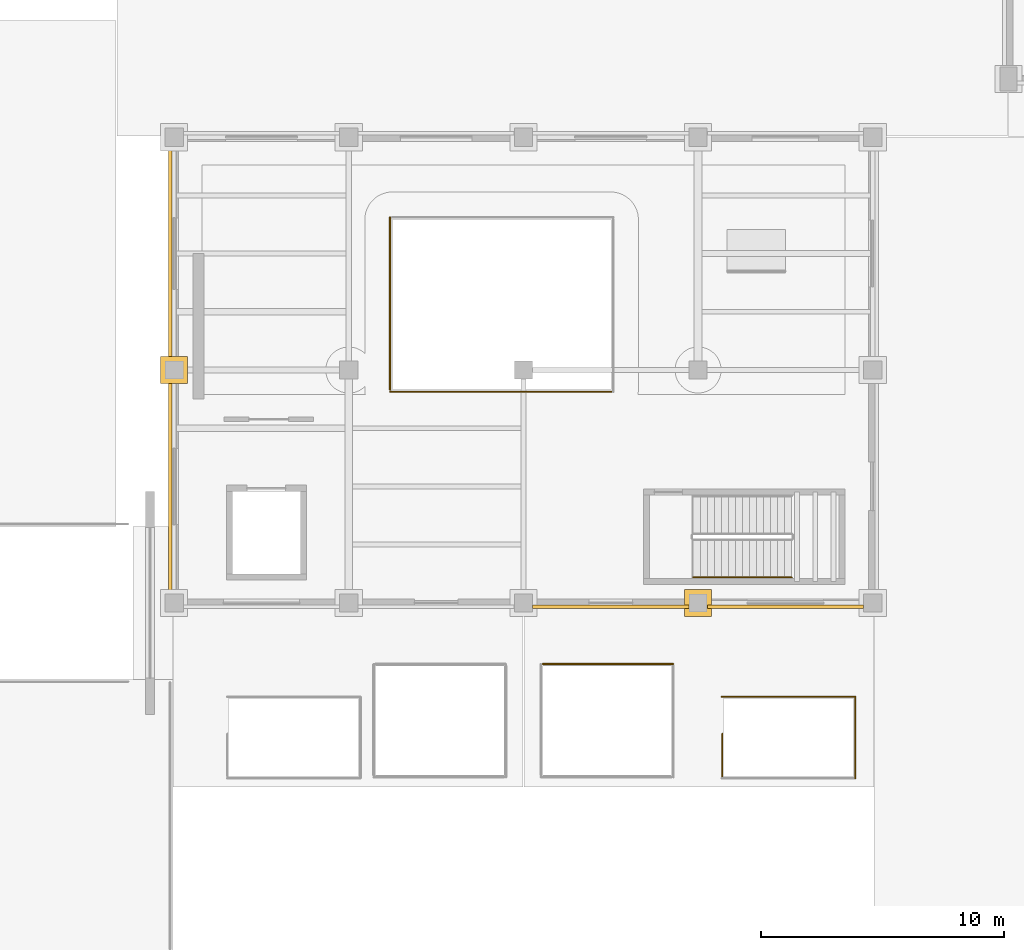
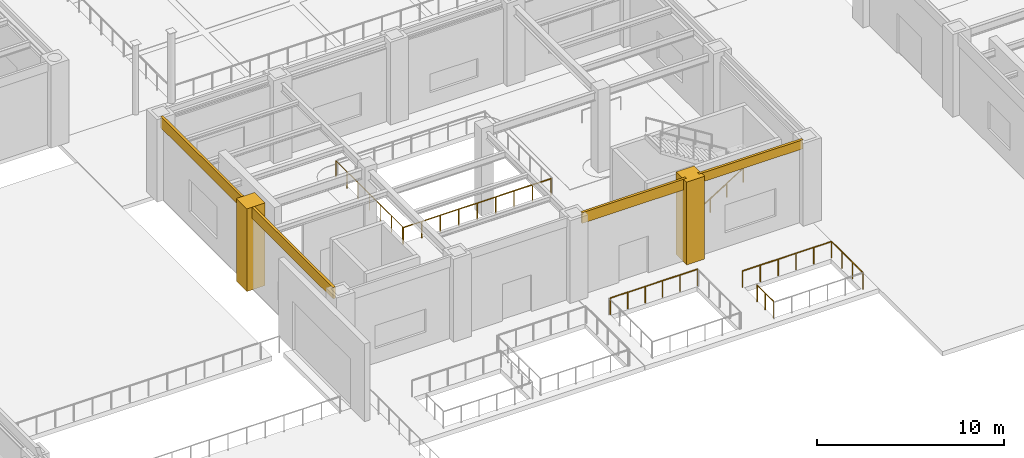
# One storey, part 147 of 164: 7 railings, 6 coverings.
"""IFC4 building model written with IfcOpenShell, lengths in metres."""

from ifc_helpers import new_model, si_unit, direction, frame, origin, origin_2d, place, context, subcontext, project, spatial, polyline, circle, outline, extrude, material, layer, layer_set, type_object, element, save


model = new_model("IFC4")

# Units and contexts
model_context = context("Model", 3, precision=1e-05, world=origin(), true_north=direction((0.0, 1.0)))
body_context = subcontext(model_context, "Body", "Model", "MODEL_VIEW")
ifc_project = project(units=[si_unit("LENGTHUNIT", "METRE"), si_unit("AREAUNIT", "SQUARE_METRE"), si_unit("VOLUMEUNIT", "CUBIC_METRE"), si_unit("PLANEANGLEUNIT", "RADIAN"), si_unit("MASSUNIT", "GRAM", prefix="KILO")], contexts=[model_context])

# Site, building, storey
site_placement = place(None, origin())
site = spatial("IfcSite", under=ifc_project, at=site_placement, CompositionType="ELEMENT")
building_placement = place(site_placement, origin())
building = spatial("IfcBuilding", under=site, at=building_placement, Name="Mavantir Sound Aquarium", CompositionType="ELEMENT")
storey_placement = place(building_placement, origin())
storey = spatial("IfcBuildingStorey", under=building, at=storey_placement, Name="L00", CompositionType="ELEMENT", Elevation=0.0)

# Coverings
ifc_material_1 = material(Name="Honed Coral-Limestone & Glazed Terracotta Rainscreen Cladding", Category="masonry")
ifc_layer = layer(ifc_material_1, 0.06005859375, Name="Honed Coral-Limestone & Glazed Terracotta Rainscreen Cladding")
ifc_layer_set = layer_set([ifc_layer], Name="Honed Coral-Limestone & Glazed Terracotta Rainscreen Cladding")
covering_type = type_object("IfcCoveringType", Name="COV-CLAD-TC", PredefinedType="CLADDING", material=ifc_layer_set)
covering_1_placement = place(storey_placement, frame((0.0, 0.0, 4.6630859375)))
element("IfcCovering", 1, at=covering_1_placement, inside=storey, type_object=covering_type, Name="L00 Postmodern coral-limestone spandrel frieze 149", PredefinedType="CLADDING", context=body_context, shape_type="SweptSolid", body=[
    extrude(outline(polyline([(67.110107421875, 33.217041015625), (67.110107421875, 24.383056640625), (66.9599609375, 24.383056640625), (66.9599609375, 33.217041015625), (67.110107421875, 33.217041015625)])), origin(), (0.0, 0.0, 1.0), 0.73681640625),
])
covering_2_placement = place(storey_placement, frame((0.0, 0.0, 4.6630859375)))
element("IfcCovering", 2, at=covering_2_placement, inside=storey, type_object=covering_type, Name="L00 Postmodern coral-limestone spandrel frieze 150", PredefinedType="CLADDING", context=body_context, shape_type="SweptSolid", body=[
    extrude(outline(polyline([(67.110107421875, 23.616943359375), (67.110107421875, 14.782958984375), (66.9599609375, 14.782958984375), (66.9599609375, 23.616943359375), (67.110107421875, 23.616943359375)])), origin(), (0.0, 0.0, 1.0), 0.73681640625),
])
covering_3_placement = place(storey_placement, frame((0.0, 0.0, 4.7080078125)))
element("IfcCovering", 3, at=covering_3_placement, inside=storey, type_object=covering_type, Name="L00 Postmodern coral-limestone spandrel frieze 153", PredefinedType="CLADDING", context=body_context, shape_type="SweptSolid", body=[
    extrude(outline(polyline([(81.98291015625, 14.31005859375), (88.4169921875, 14.31005859375), (88.4169921875, 14.159912109375), (81.98291015625, 14.159912109375), (81.98291015625, 14.31005859375)])), origin(), (0.0, 0.0, 1.0), 0.69189453125),
])
covering_4_placement = place(storey_placement, frame((0.0, 0.0, 4.81298828125)))
element("IfcCovering", 4, at=covering_4_placement, inside=storey, type_object=covering_type, Name="L00 Postmodern coral-limestone spandrel frieze 154", PredefinedType="CLADDING", context=body_context, shape_type="SweptSolid", body=[
    extrude(outline(polyline([(89.18310546875, 14.31005859375), (95.616943359375, 14.31005859375), (95.616943359375, 14.159912109375), (89.18310546875, 14.159912109375), (89.18310546875, 14.31005859375)])), origin(), (0.0, 0.0, 1.0), 0.5869140625),
])
covering_5_placement = place(storey_placement, origin())
element("IfcCovering", 5, at=covering_5_placement, inside=storey, type_object=covering_type, Name="L00 Postmodern coral-limestone pilaster casing 469", PredefinedType="CLADDING", context=body_context, shape_type="SweptSolid", body=[
    extrude(outline(polyline([(66.639892578125, 23.43994140625), (67.760009765625, 23.43994140625), (67.760009765625, 24.56005859375), (66.639892578125, 24.56005859375), (66.639892578125, 23.43994140625)])), origin(), (0.0, 0.0, 1.0), 5.39990234375),
])
covering_6_placement = place(storey_placement, origin())
element("IfcCovering", 6, at=covering_6_placement, inside=storey, type_object=covering_type, Name="L00 Postmodern coral-limestone pilaster casing 481", PredefinedType="CLADDING", context=body_context, shape_type="SweptSolid", body=[
    extrude(outline(polyline([(88.239990234375, 13.840087890625), (89.360107421875, 13.840087890625), (89.360107421875, 14.9599609375), (88.239990234375, 14.9599609375), (88.239990234375, 13.840087890625)])), origin(), (0.0, 0.0, 1.0), 5.39990234375),
])

# Railings
ifc_material_2 = material(Name="Stainless Steel 316 and Laminated Glass Guardrail", Category="steel")
railing_type_1 = type_object("IfcRailingType", Name="RL-GUARD-110", PredefinedType="GUARDRAIL", material=ifc_material_2)
railing_1_placement = place(storey_placement, frame((76.10009765625, 23.10009765625, 0.0)))
element("IfcRailing", 7, at=railing_1_placement, inside=storey, type_object=railing_type_1, Name="L00 atrium void S guardrail 63", PredefinedType="GUARDRAIL", context=body_context, shape_type="SweptSolid", body=[
    extrude(circle(Radius=0.02392578125, at=origin_2d()), frame((0.0, 0.0, 1.076171875), z_axis=(1.0, 0.0, 0.0), x_axis=(0.0, 1.0, 0.0)), (0.0, 0.0, 1.0), 9.119873046875),
    extrude(circle(Radius=0.02099609375, at=origin_2d()), origin(), (0.0, 0.0, 1.0), 1.052001953125),
    extrude(circle(Radius=0.02099609375, at=origin_2d()), frame((1.139892578125, 0.0, 0.0)), (0.0, 0.0, 1.0), 1.052001953125),
    extrude(circle(Radius=0.02099609375, at=origin_2d()), frame((2.280029296875, 0.0, 0.0)), (0.0, 0.0, 1.0), 1.052001953125),
    extrude(circle(Radius=0.02099609375, at=origin_2d()), frame((3.419921875, 0.0, 0.0)), (0.0, 0.0, 1.0), 1.052001953125),
    extrude(circle(Radius=0.02099609375, at=origin_2d()), frame((4.56005859375, 0.0, 0.0)), (0.0, 0.0, 1.0), 1.052001953125),
    extrude(circle(Radius=0.02099609375, at=origin_2d()), frame((5.699951171875, 0.0, 0.0)), (0.0, 0.0, 1.0), 1.052001953125),
    extrude(circle(Radius=0.02099609375, at=origin_2d()), frame((6.83984375, 0.0, 0.0)), (0.0, 0.0, 1.0), 1.052001953125),
    extrude(circle(Radius=0.02099609375, at=origin_2d()), frame((7.97998046875, 0.0, 0.0)), (0.0, 0.0, 1.0), 1.052001953125),
    extrude(circle(Radius=0.02099609375, at=origin_2d()), frame((9.119873046875, 0.0, 0.0)), (0.0, 0.0, 1.0), 1.052001953125),
])
railing_2_placement = place(storey_placement, frame((76.10009765625, 30.300048828125, 0.0)))
element("IfcRailing", 8, at=railing_2_placement, inside=storey, type_object=railing_type_1, Name="L00 atrium void W guardrail 66", PredefinedType="GUARDRAIL", context=body_context, shape_type="SweptSolid", body=[
    extrude(circle(Radius=0.02392578125, at=origin_2d()), frame((0.0, 0.0, 1.076171875), z_axis=(0.0, -1.0, 0.0), x_axis=(1.0, 0.0, 0.0)), (0.0, 0.0, 1.0), 7.1201171875),
    extrude(circle(Radius=0.02099609375, at=origin_2d()), origin(), (0.0, 0.0, 1.0), 1.052001953125),
    extrude(circle(Radius=0.02099609375, at=origin_2d()), frame((0.0, -1.186767578125, 0.0)), (0.0, 0.0, 1.0), 1.052001953125),
    extrude(circle(Radius=0.02099609375, at=origin_2d()), frame((0.0, -2.373291015625, 0.0)), (0.0, 0.0, 1.0), 1.052001953125),
    extrude(circle(Radius=0.02099609375, at=origin_2d()), frame((0.0, -3.56005859375, 0.0)), (0.0, 0.0, 1.0), 1.052001953125),
    extrude(circle(Radius=0.02099609375, at=origin_2d()), frame((0.0, -4.746826171875, 0.0)), (0.0, 0.0, 1.0), 1.052001953125),
    extrude(circle(Radius=0.02099609375, at=origin_2d()), frame((0.0, -5.933349609375, 0.0)), (0.0, 0.0, 1.0), 1.052001953125),
    extrude(circle(Radius=0.02099609375, at=origin_2d()), frame((0.0, -7.1201171875, 0.0)), (0.0, 0.0, 1.0), 1.052001953125),
])
railing_3_placement = place(storey_placement, frame((87.780029296875, 11.8798828125, 0.0)))
element("IfcRailing", 9, at=railing_3_placement, inside=storey, type_object=railing_type_1, Name="Forecourt lightwell ST14 N guard", PredefinedType="GUARDRAIL", context=body_context, shape_type="SweptSolid", body=[
    extrude(circle(Radius=0.02392578125, at=origin_2d()), frame((0.0, 0.0, 1.076171875), z_axis=(-1.0, 0.0, 0.0), x_axis=(0.0, -1.0, 0.0)), (0.0, 0.0, 1.0), 5.380126953125),
    extrude(circle(Radius=0.02099609375, at=origin_2d()), origin(), (0.0, 0.0, 1.0), 1.052001953125),
    extrude(circle(Radius=0.02099609375, at=origin_2d()), frame((-1.075927734375, 0.0, 0.0)), (0.0, 0.0, 1.0), 1.052001953125),
    extrude(circle(Radius=0.02099609375, at=origin_2d()), frame((-2.152099609375, 0.0, 0.0)), (0.0, 0.0, 1.0), 1.052001953125),
    extrude(circle(Radius=0.02099609375, at=origin_2d()), frame((-3.22802734375, 0.0, 0.0)), (0.0, 0.0, 1.0), 1.052001953125),
    extrude(circle(Radius=0.02099609375, at=origin_2d()), frame((-4.30419921875, 0.0, 0.0)), (0.0, 0.0, 1.0), 1.052001953125),
    extrude(circle(Radius=0.02099609375, at=origin_2d()), frame((-5.380126953125, 0.0, 0.0)), (0.0, 0.0, 1.0), 1.052001953125),
])
railing_4_placement = place(storey_placement, frame((89.800048828125, 7.25, 0.0)))
element("IfcRailing", 10, at=railing_4_placement, inside=storey, type_object=railing_type_1, Name="L00 ST14 top well guard 1", PredefinedType="GUARDRAIL", context=body_context, shape_type="SweptSolid", body=[
    extrude(circle(Radius=0.02392578125, at=origin_2d()), frame((0.0, 0.0, 1.076171875), z_axis=(0.0, 1.0, 0.0), x_axis=(-1.0, 0.0, 0.0)), (0.0, 0.0, 1.0), 1.75),
    extrude(circle(Radius=0.02099609375, at=origin_2d()), origin(), (0.0, 0.0, 1.0), 1.052001953125),
    extrude(circle(Radius=0.02099609375, at=origin_2d()), frame((0.0, 0.875, 0.0)), (0.0, 0.0, 1.0), 1.052001953125),
    extrude(circle(Radius=0.02099609375, at=origin_2d()), frame((0.0, 1.75, 0.0)), (0.0, 0.0, 1.0), 1.052001953125),
])
railing_5_placement = place(storey_placement, frame((89.780029296875, 10.530029296875, 0.0)))
element("IfcRailing", 11, at=railing_5_placement, inside=storey, type_object=railing_type_1, Name="Forecourt stair ST14 WLN guardrail", PredefinedType="GUARDRAIL", context=body_context, shape_type="SweptSolid", body=[
    extrude(circle(Radius=0.02392578125, at=origin_2d()), frame((0.0, 0.0, 1.076171875), z_axis=(1.0, 0.0, 0.0), x_axis=(0.0, 1.0, 0.0)), (0.0, 0.0, 1.0), 5.5),
    extrude(circle(Radius=0.02099609375, at=origin_2d()), origin(), (0.0, 0.0, 1.0), 1.052001953125),
    extrude(circle(Radius=0.02099609375, at=origin_2d()), frame((1.10009765625, 0.0, 0.0)), (0.0, 0.0, 1.0), 1.052001953125),
    extrude(circle(Radius=0.02099609375, at=origin_2d()), frame((2.199951171875, 0.0, 0.0)), (0.0, 0.0, 1.0), 1.052001953125),
    extrude(circle(Radius=0.02099609375, at=origin_2d()), frame((3.300048828125, 0.0, 0.0)), (0.0, 0.0, 1.0), 1.052001953125),
    extrude(circle(Radius=0.02099609375, at=origin_2d()), frame((4.39990234375, 0.0, 0.0)), (0.0, 0.0, 1.0), 1.052001953125),
    extrude(circle(Radius=0.02099609375, at=origin_2d()), frame((5.5, 0.0, 0.0)), (0.0, 0.0, 1.0), 1.052001953125),
])
railing_6_placement = place(storey_placement, frame((95.280029296875, 7.169921875, 0.0)))
element("IfcRailing", 12, at=railing_6_placement, inside=storey, type_object=railing_type_1, Name="Forecourt stair ST14 WLE guardrail", PredefinedType="GUARDRAIL", context=body_context, shape_type="SweptSolid", body=[
    extrude(circle(Radius=0.02392578125, at=origin_2d()), frame((0.0, 0.0, 1.076171875), z_axis=(0.0, 1.0, 0.0), x_axis=(-1.0, 0.0, 0.0)), (0.0, 0.0, 1.0), 3.360107421875),
    extrude(circle(Radius=0.02099609375, at=origin_2d()), origin(), (0.0, 0.0, 1.0), 1.052001953125),
    extrude(circle(Radius=0.02099609375, at=origin_2d()), frame((0.0, 1.1201171875, 0.0)), (0.0, 0.0, 1.0), 1.052001953125),
    extrude(circle(Radius=0.02099609375, at=origin_2d()), frame((0.0, 2.239990234375, 0.0)), (0.0, 0.0, 1.0), 1.052001953125),
    extrude(circle(Radius=0.02099609375, at=origin_2d()), frame((0.0, 3.360107421875, 0.0)), (0.0, 0.0, 1.0), 1.052001953125),
])
ifc_material_3 = material(Name="Brushed Stainless Steel 316 Handrail", Category="steel")
railing_type_2 = type_object("IfcRailingType", Name="RL-HR-90", PredefinedType="HANDRAIL", material=ifc_material_3)
railing_7_placement = place(storey_placement, frame((88.60009765625, 15.449951171875, 0.364990234375)))
element("IfcRailing", 13, at=railing_7_placement, inside=storey, type_object=railing_type_2, Name="L00 ST11 stair handrail 1", PredefinedType="HANDRAIL", context=body_context, shape_type="SweptSolid", body=[
    extrude(circle(Radius=0.02392578125, at=origin_2d()), frame((0.0, 0.0, 0.89111328125), z_axis=(0.849627535208, 0.0, 0.527383211162), x_axis=(0.0, 1.0, 0.0)), (0.0, 0.0, 1.0), 4.7783203125),
    extrude(circle(Radius=0.02099609375, at=origin_2d()), origin(), (0.0, 0.0, 1.0), 0.866943359375),
    extrude(circle(Radius=0.02099609375, at=origin_2d()), frame((1.014892578125, 0.0, 0.6298828125)), (0.0, 0.0, 1.0), 0.866943359375),
    extrude(circle(Radius=0.02099609375, at=origin_2d()), frame((2.02978515625, 0.0, 1.260009765625)), (0.0, 0.0, 1.0), 0.866943359375),
    extrude(circle(Radius=0.02099609375, at=origin_2d()), frame((3.044921875, 0.0, 1.89013671875)), (0.0, 0.0, 1.0), 0.866943359375),
    extrude(circle(Radius=0.02099609375, at=origin_2d()), frame((4.059814453125, 0.0, 2.52001953125)), (0.0, 0.0, 1.0), 0.866943359375),
])

save(model, "model.ifc")
